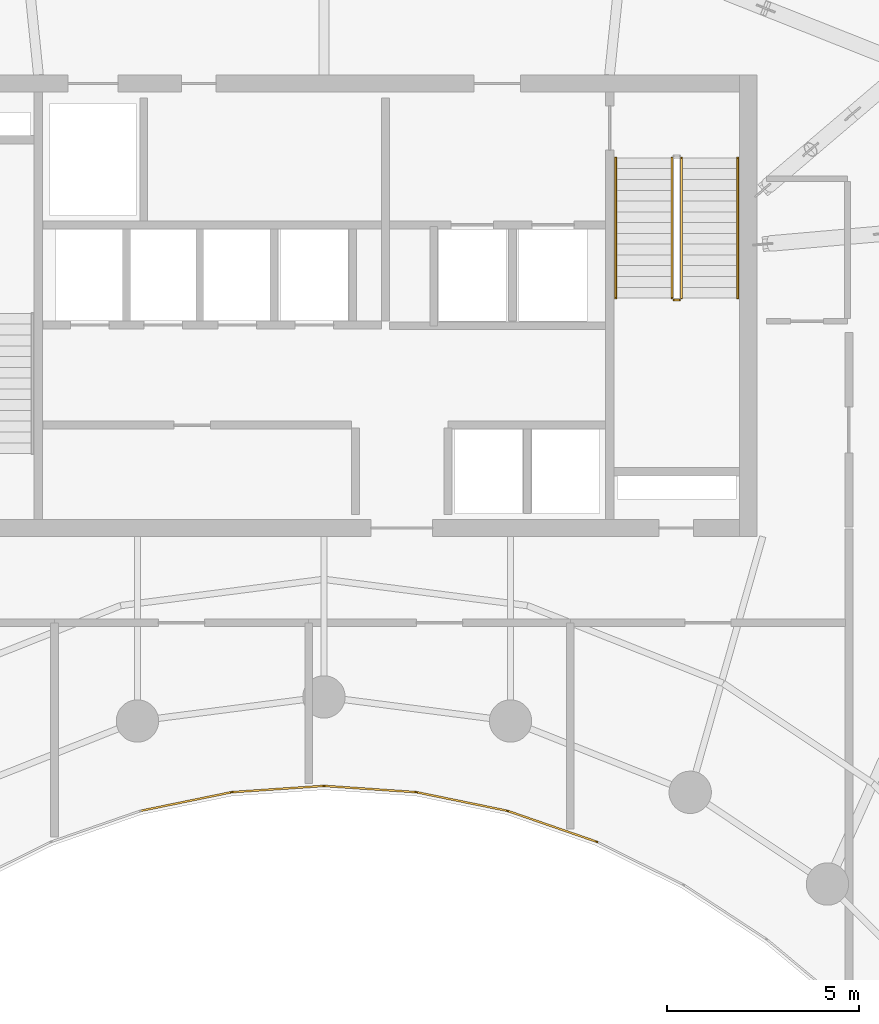
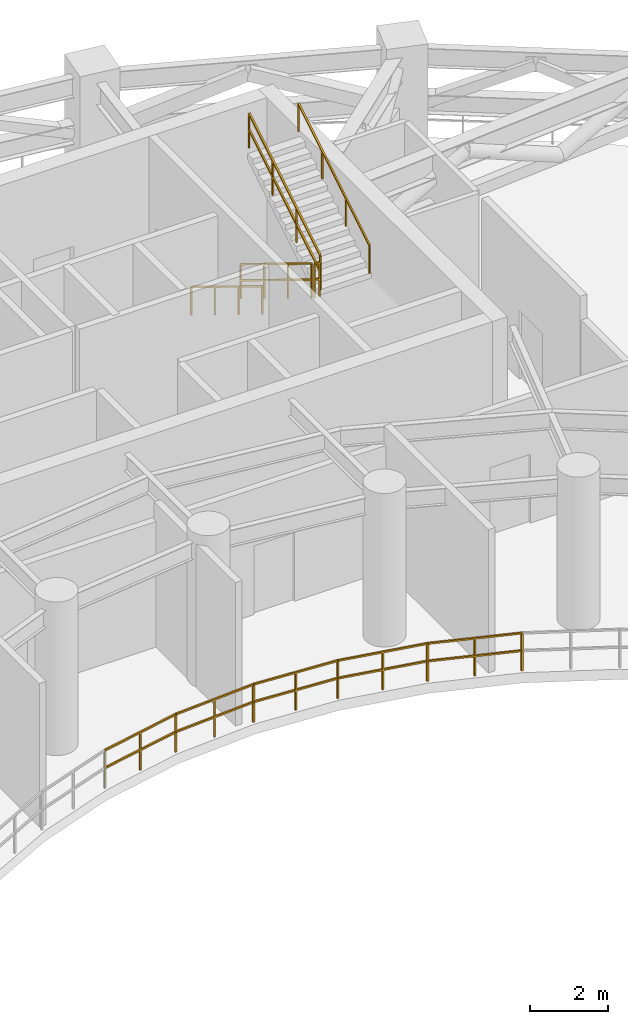
# One storey, part 20 of 24: 15 railings.
"""IFC4 building model written with IfcOpenShell, lengths in metres."""

from ifc_helpers import new_model, si_unit, direction, frame, origin, origin_2d, place, context, subcontext, project, spatial, rectangle, extrude, material, type_object, element, save


model = new_model("IFC4")

# Units and contexts
model_context = context("Model", 3, precision=1e-05, world=origin(), true_north=direction((0.0, 1.0)))
body_context = subcontext(model_context, "Body", "Model", "MODEL_VIEW")
ifc_project = project(units=[si_unit("LENGTHUNIT", "METRE"), si_unit("AREAUNIT", "SQUARE_METRE"), si_unit("VOLUMEUNIT", "CUBIC_METRE"), si_unit("PLANEANGLEUNIT", "RADIAN"), si_unit("MASSUNIT", "GRAM", prefix="KILO")], contexts=[model_context])

# Site, building, storey
site_placement = place(None, origin())
site = spatial("IfcSite", under=ifc_project, at=site_placement, CompositionType="ELEMENT")
building_placement = place(site_placement, origin())
building = spatial("IfcBuilding", under=site, at=building_placement, Name="Breltana Convention Tower", CompositionType="ELEMENT")
storey_placement = place(building_placement, frame((0.0, 0.0, 189.60009765625)))
storey = spatial("IfcBuildingStorey", under=building, at=storey_placement, Name="L46", CompositionType="ELEMENT", Elevation=189.60009765625)

# Railings
ifc_material_1 = material(Name="Steel S275 Painted", Category="steel")
railing_type_1 = type_object("IfcRailingType", Name="RL-STAIR-GUARD-1100", PredefinedType="GUARDRAIL", material=ifc_material_1)
railing_1_placement = place(storey_placement, frame((57.0400390625, 70.0400390625, 0.17138671875)))
element("IfcRailing", 1, at=railing_1_placement, inside=storey, type_object=railing_type_1, Name="L46 ST-2 stair guard 1", PredefinedType="GUARDRAIL", context=body_context, shape_type="SweptSolid", body=[
    extrude(rectangle(XDim=0.048095703125, YDim=0.048095703125, at=origin_2d()), frame((0.0, 0.0, 1.076171875), z_axis=(0.0, -0.852865859571, 0.52213008492), x_axis=(1.0, 0.0, 0.0)), (0.0, 0.0, 1.0), 4.26806640625),
    extrude(rectangle(XDim=0.048095703125, YDim=0.048095703125, at=origin_2d()), frame((0.0, 0.0, 0.572021484375), z_axis=(0.0, -0.852865859571, 0.52213008492), x_axis=(1.0, 0.0, 0.0)), (0.0, 0.0, 1.0), 4.26806640625),
    extrude(rectangle(XDim=0.0419921875, YDim=0.0419921875, at=origin_2d()), origin(), (0.0, 0.0, 1.0), 1.052001953125),
    extrude(rectangle(XDim=0.0419921875, YDim=0.0419921875, at=origin_2d()), frame((0.0, -1.21337890625, 0.742919921875)), (0.0, 0.0, 1.0), 1.052001953125),
    extrude(rectangle(XDim=0.0419921875, YDim=0.0419921875, at=origin_2d()), frame((0.0, -2.4267578125, 1.485595703125)), (0.0, 0.0, 1.0), 1.052001953125),
    extrude(rectangle(XDim=0.0419921875, YDim=0.0419921875, at=origin_2d()), frame((0.0, -3.64013671875, 2.228515625)), (0.0, 0.0, 1.0), 1.052001953125),
])
railing_2_placement = place(storey_placement, frame((57.090087890625, 66.35009765625, 2.39990234375)))
element("IfcRailing", 2, at=railing_2_placement, inside=storey, type_object=railing_type_1, Name="L46 ST-2 stair guard 2", PredefinedType="GUARDRAIL", context=body_context, shape_type="SweptSolid", body=[
    extrude(rectangle(XDim=0.048095703125, YDim=0.048095703125, at=origin_2d()), frame((0.0, 0.0, 1.076171875), z_axis=(1.0, 0.0, 0.0), x_axis=(0.0, 1.0, 0.0)), (0.0, 0.0, 1.0), 0.14990234375),
    extrude(rectangle(XDim=0.048095703125, YDim=0.048095703125, at=origin_2d()), frame((0.0, 0.0, 0.572021484375), z_axis=(1.0, 0.0, 0.0), x_axis=(0.0, 1.0, 0.0)), (0.0, 0.0, 1.0), 0.14990234375),
    extrude(rectangle(XDim=0.0419921875, YDim=0.0419921875, at=origin_2d()), origin(), (0.0, 0.0, 1.0), 1.052001953125),
    extrude(rectangle(XDim=0.0419921875, YDim=0.0419921875, at=origin_2d()), frame((0.14990234375, 0.0, 0.0)), (0.0, 0.0, 1.0), 1.052001953125),
])
railing_3_placement = place(storey_placement, frame((57.2900390625, 66.39990234375, 2.5712890625)))
element("IfcRailing", 3, at=railing_3_placement, inside=storey, type_object=railing_type_1, Name="L46 ST-2 stair guard 3", PredefinedType="GUARDRAIL", context=body_context, shape_type="SweptSolid", body=[
    extrude(rectangle(XDim=0.048095703125, YDim=0.048095703125, at=origin_2d()), frame((0.0, 0.0, 1.076171875), z_axis=(0.0, 0.852865859571, 0.52213008492), x_axis=(-1.0, 0.0, 0.0)), (0.0, 0.0, 1.0), 4.26806640625),
    extrude(rectangle(XDim=0.048095703125, YDim=0.048095703125, at=origin_2d()), frame((0.0, 0.0, 0.572021484375), z_axis=(0.0, 0.852865859571, 0.52213008492), x_axis=(-1.0, 0.0, 0.0)), (0.0, 0.0, 1.0), 4.26806640625),
    extrude(rectangle(XDim=0.0419921875, YDim=0.0419921875, at=origin_2d()), origin(), (0.0, 0.0, 1.0), 1.052001953125),
    extrude(rectangle(XDim=0.0419921875, YDim=0.0419921875, at=origin_2d()), frame((0.0, 1.21337890625, 0.742919921875)), (0.0, 0.0, 1.0), 1.052001953125),
    extrude(rectangle(XDim=0.0419921875, YDim=0.0419921875, at=origin_2d()), frame((0.0, 2.4267578125, 1.485595703125)), (0.0, 0.0, 1.0), 1.052001953125),
    extrude(rectangle(XDim=0.0419921875, YDim=0.0419921875, at=origin_2d()), frame((0.0, 3.64013671875, 2.228515625)), (0.0, 0.0, 1.0), 1.052001953125),
])
ifc_material_2 = material(Name="Stainless Steel 316L", Category="steel")
railing_type_2 = type_object("IfcRailingType", Name="RL-STAIR-HANDRAIL-900", PredefinedType="HANDRAIL", material=ifc_material_2)
railing_4_placement = place(storey_placement, frame((55.580078125, 70.0400390625, 0.17138671875)))
element("IfcRailing", 4, at=railing_4_placement, inside=storey, type_object=railing_type_2, Name="L46 ST-2 stair handrail 1", PredefinedType="HANDRAIL", context=body_context, shape_type="SweptSolid", body=[
    extrude(rectangle(XDim=0.048095703125, YDim=0.048095703125, at=origin_2d()), frame((0.0, 0.0, 0.8759765625), z_axis=(0.0, -0.852865859571, 0.52213008492), x_axis=(1.0, 0.0, 0.0)), (0.0, 0.0, 1.0), 4.26806640625),
    extrude(rectangle(XDim=0.0419921875, YDim=0.0419921875, at=origin_2d()), origin(), (0.0, 0.0, 1.0), 0.851806640625),
    extrude(rectangle(XDim=0.0419921875, YDim=0.0419921875, at=origin_2d()), frame((0.0, -1.21337890625, 0.742919921875)), (0.0, 0.0, 1.0), 0.851806640625),
    extrude(rectangle(XDim=0.0419921875, YDim=0.0419921875, at=origin_2d()), frame((0.0, -2.4267578125, 1.485595703125)), (0.0, 0.0, 1.0), 0.851806640625),
    extrude(rectangle(XDim=0.0419921875, YDim=0.0419921875, at=origin_2d()), frame((0.0, -3.64013671875, 2.228515625)), (0.0, 0.0, 1.0), 0.851806640625),
])
railing_5_placement = place(storey_placement, frame((58.75, 66.39990234375, 2.5712890625)))
element("IfcRailing", 5, at=railing_5_placement, inside=storey, type_object=railing_type_2, Name="L46 ST-2 stair handrail 2", PredefinedType="HANDRAIL", context=body_context, shape_type="SweptSolid", body=[
    extrude(rectangle(XDim=0.048095703125, YDim=0.048095703125, at=origin_2d()), frame((0.0, 0.0, 0.8759765625), z_axis=(0.0, 0.852865859571, 0.52213008492), x_axis=(-1.0, 0.0, 0.0)), (0.0, 0.0, 1.0), 4.26806640625),
    extrude(rectangle(XDim=0.0419921875, YDim=0.0419921875, at=origin_2d()), origin(), (0.0, 0.0, 1.0), 0.851806640625),
    extrude(rectangle(XDim=0.0419921875, YDim=0.0419921875, at=origin_2d()), frame((0.0, 1.21337890625, 0.742919921875)), (0.0, 0.0, 1.0), 0.851806640625),
    extrude(rectangle(XDim=0.0419921875, YDim=0.0419921875, at=origin_2d()), frame((0.0, 2.4267578125, 1.485595703125)), (0.0, 0.0, 1.0), 0.851806640625),
    extrude(rectangle(XDim=0.0419921875, YDim=0.0419921875, at=origin_2d()), frame((0.0, 3.64013671875, 2.228515625)), (0.0, 0.0, 1.0), 0.851806640625),
])
railing_type_3 = type_object("IfcRailingType", Name="RL-WIND-GUARD-1200", PredefinedType="BALUSTRADE", material=ifc_material_2)
railing_6_placement = place(storey_placement, frame((55.101806640625, 52.2666015625, 0.0)))
element("IfcRailing", 6, at=railing_6_placement, inside=storey, type_object=railing_type_3, Name="L46 perimeter balustrade 19", PredefinedType="BALUSTRADE", context=body_context, shape_type="SweptSolid", body=[
    extrude(rectangle(XDim=0.048095703125, YDim=0.048095703125, at=origin_2d()), frame((0.0, 0.0, 1.17578125), z_axis=(-0.923076923077, 0.384615384615, 0.0), x_axis=(-0.384615384615, -0.923076923077, 0.0)), (0.0, 0.0, 1.0), 0.0126953125),
    extrude(rectangle(XDim=0.048095703125, YDim=0.048095703125, at=origin_2d()), frame((0.0, 0.0, 0.6240234375), z_axis=(-0.923076923077, 0.384615384615, 0.0), x_axis=(-0.384615384615, -0.923076923077, 0.0)), (0.0, 0.0, 1.0), 0.0126953125),
    extrude(rectangle(XDim=0.0419921875, YDim=0.0419921875, at=origin_2d()), origin(), (0.0, 0.0, 1.0), 1.15185546875),
    extrude(rectangle(XDim=0.0419921875, YDim=0.0419921875, at=origin_2d()), frame((-0.01171875, 0.0048828125, 0.0)), (0.0, 0.0, 1.0), 1.15185546875),
])
railing_7_placement = place(storey_placement, frame((55.090087890625, 52.271484375, 0.0)))
element("IfcRailing", 7, at=railing_7_placement, inside=storey, type_object=railing_type_3, Name="L46 perimeter balustrade 20", PredefinedType="BALUSTRADE", context=body_context, shape_type="SweptSolid", body=[
    extrude(rectangle(XDim=0.048095703125, YDim=0.048095703125, at=origin_2d()), frame((0.0, 0.0, 1.17578125), z_axis=(-0.944895881639, 0.327371001865, 0.0), x_axis=(-0.327371001865, -0.944895881639, 0.0)), (0.0, 0.0, 1.0), 2.44677734375),
    extrude(rectangle(XDim=0.048095703125, YDim=0.048095703125, at=origin_2d()), frame((0.0, 0.0, 0.6240234375), z_axis=(-0.944895881639, 0.327371001865, 0.0), x_axis=(-0.327371001865, -0.944895881639, 0.0)), (0.0, 0.0, 1.0), 2.44677734375),
    extrude(rectangle(XDim=0.0419921875, YDim=0.0419921875, at=origin_2d()), origin(), (0.0, 0.0, 1.0), 1.15185546875),
    extrude(rectangle(XDim=0.0419921875, YDim=0.0419921875, at=origin_2d()), frame((-1.156005859375, 0.400390625, 0.0)), (0.0, 0.0, 1.0), 1.15185546875),
    extrude(rectangle(XDim=0.0419921875, YDim=0.0419921875, at=origin_2d()), frame((-2.31201171875, 0.801025390625, 0.0)), (0.0, 0.0, 1.0), 1.15185546875),
])
railing_8_placement = place(storey_placement, frame((52.778076171875, 53.072509765625, 0.0)))
element("IfcRailing", 8, at=railing_8_placement, inside=storey, type_object=railing_type_3, Name="L46 perimeter balustrade 21", PredefinedType="BALUSTRADE", context=body_context, shape_type="SweptSolid", body=[
    extrude(rectangle(XDim=0.048095703125, YDim=0.048095703125, at=origin_2d()), frame((0.0, 0.0, 1.17578125), z_axis=(-0.960823591181, 0.277160651302, 0.0), x_axis=(-0.277160651302, -0.960823591181, 0.0)), (0.0, 0.0, 1.0), 0.01318359375),
    extrude(rectangle(XDim=0.048095703125, YDim=0.048095703125, at=origin_2d()), frame((0.0, 0.0, 0.6240234375), z_axis=(-0.960823591181, 0.277160651302, 0.0), x_axis=(-0.277160651302, -0.960823591181, 0.0)), (0.0, 0.0, 1.0), 0.01318359375),
    extrude(rectangle(XDim=0.0419921875, YDim=0.0419921875, at=origin_2d()), origin(), (0.0, 0.0, 1.0), 1.15185546875),
    extrude(rectangle(XDim=0.0419921875, YDim=0.0419921875, at=origin_2d()), frame((-0.0126953125, 0.003662109375, 0.0)), (0.0, 0.0, 1.0), 1.15185546875),
])
railing_9_placement = place(storey_placement, frame((52.765380859375, 53.076171875, 0.0)))
element("IfcRailing", 9, at=railing_9_placement, inside=storey, type_object=railing_type_3, Name="L46 perimeter balustrade 22", PredefinedType="BALUSTRADE", context=body_context, shape_type="SweptSolid", body=[
    extrude(rectangle(XDim=0.048095703125, YDim=0.048095703125, at=origin_2d()), frame((0.0, 0.0, 1.17578125), z_axis=(-0.979626219615, 0.200829454621, 0.0), x_axis=(-0.200829454621, -0.979626219615, 0.0)), (0.0, 0.0, 1.0), 2.409423828125),
    extrude(rectangle(XDim=0.048095703125, YDim=0.048095703125, at=origin_2d()), frame((0.0, 0.0, 0.6240234375), z_axis=(-0.979626219615, 0.200829454621, 0.0), x_axis=(-0.200829454621, -0.979626219615, 0.0)), (0.0, 0.0, 1.0), 2.409423828125),
    extrude(rectangle(XDim=0.0419921875, YDim=0.0419921875, at=origin_2d()), origin(), (0.0, 0.0, 1.0), 1.15185546875),
    extrude(rectangle(XDim=0.0419921875, YDim=0.0419921875, at=origin_2d()), frame((-1.18017578125, 0.241943359375, 0.0)), (0.0, 0.0, 1.0), 1.15185546875),
    extrude(rectangle(XDim=0.0419921875, YDim=0.0419921875, at=origin_2d()), frame((-2.3603515625, 0.48388671875, 0.0)), (0.0, 0.0, 1.0), 1.15185546875),
])
railing_10_placement = place(storey_placement, frame((50.405029296875, 53.56005859375, 0.0)))
element("IfcRailing", 10, at=railing_10_placement, inside=storey, type_object=railing_type_3, Name="L46 perimeter balustrade 23", PredefinedType="BALUSTRADE", context=body_context, shape_type="SweptSolid", body=[
    extrude(rectangle(XDim=0.048095703125, YDim=0.048095703125, at=origin_2d()), frame((0.0, 0.0, 1.17578125), z_axis=(-0.989586439285, 0.143939845714, 0.0), x_axis=(-0.143939845714, -0.989586439285, 0.0)), (0.0, 0.0, 1.0), 0.013671875),
    extrude(rectangle(XDim=0.048095703125, YDim=0.048095703125, at=origin_2d()), frame((0.0, 0.0, 0.6240234375), z_axis=(-0.989586439285, 0.143939845714, 0.0), x_axis=(-0.143939845714, -0.989586439285, 0.0)), (0.0, 0.0, 1.0), 0.013671875),
    extrude(rectangle(XDim=0.0419921875, YDim=0.0419921875, at=origin_2d()), origin(), (0.0, 0.0, 1.0), 1.15185546875),
    extrude(rectangle(XDim=0.0419921875, YDim=0.0419921875, at=origin_2d()), frame((-0.013427734375, 0.001953125, 0.0)), (0.0, 0.0, 1.0), 1.15185546875),
])
railing_11_placement = place(storey_placement, frame((50.3916015625, 53.56201171875, 0.0)))
element("IfcRailing", 11, at=railing_11_placement, inside=storey, type_object=railing_type_3, Name="L46 perimeter balustrade 24", PredefinedType="BALUSTRADE", context=body_context, shape_type="SweptSolid", body=[
    extrude(rectangle(XDim=0.048095703125, YDim=0.048095703125, at=origin_2d()), frame((0.0, 0.0, 1.17578125), z_axis=(-0.997704441679, 0.067718882559, 0.0), x_axis=(-0.067718882559, -0.997704441679, 0.0)), (0.0, 0.0, 1.0), 2.39013671875),
    extrude(rectangle(XDim=0.048095703125, YDim=0.048095703125, at=origin_2d()), frame((0.0, 0.0, 0.6240234375), z_axis=(-0.997704441679, 0.067718882559, 0.0), x_axis=(-0.067718882559, -0.997704441679, 0.0)), (0.0, 0.0, 1.0), 2.39013671875),
    extrude(rectangle(XDim=0.0419921875, YDim=0.0419921875, at=origin_2d()), origin(), (0.0, 0.0, 1.0), 1.15185546875),
    extrude(rectangle(XDim=0.0419921875, YDim=0.0419921875, at=origin_2d()), frame((-1.1923828125, 0.0810546875, 0.0)), (0.0, 0.0, 1.0), 1.15185546875),
    extrude(rectangle(XDim=0.0419921875, YDim=0.0419921875, at=origin_2d()), frame((-2.384765625, 0.161865234375, 0.0)), (0.0, 0.0, 1.0), 1.15185546875),
])
railing_12_placement = place(storey_placement, frame((48.0068359375, 53.723876953125, 0.0)))
element("IfcRailing", 12, at=railing_12_placement, inside=storey, type_object=railing_type_3, Name="L46 perimeter balustrade 25", PredefinedType="BALUSTRADE", context=body_context, shape_type="SweptSolid", body=[
    extrude(rectangle(XDim=0.048095703125, YDim=0.048095703125, at=origin_2d()), frame((0.0, 0.0, 1.17578125), z_axis=(-1.0, 0.0, 0.0), x_axis=(0.0, -1.0, 0.0)), (0.0, 0.0, 1.0), 0.013671875),
    extrude(rectangle(XDim=0.048095703125, YDim=0.048095703125, at=origin_2d()), frame((0.0, 0.0, 0.6240234375), z_axis=(-1.0, 0.0, 0.0), x_axis=(0.0, -1.0, 0.0)), (0.0, 0.0, 1.0), 0.013671875),
    extrude(rectangle(XDim=0.0419921875, YDim=0.0419921875, at=origin_2d()), origin(), (0.0, 0.0, 1.0), 1.15185546875),
    extrude(rectangle(XDim=0.0419921875, YDim=0.0419921875, at=origin_2d()), frame((-0.013671875, 0.0, 0.0)), (0.0, 0.0, 1.0), 1.15185546875),
])
railing_13_placement = place(storey_placement, frame((47.9931640625, 53.723876953125, 0.0)))
element("IfcRailing", 13, at=railing_13_placement, inside=storey, type_object=railing_type_3, Name="L46 perimeter balustrade 26", PredefinedType="BALUSTRADE", context=body_context, shape_type="SweptSolid", body=[
    extrude(rectangle(XDim=0.048095703125, YDim=0.048095703125, at=origin_2d()), frame((0.0, 0.0, 1.17578125), z_axis=(-0.997704441679, -0.067718882559, 0.0), x_axis=(0.067718882559, -0.997704441679, 0.0)), (0.0, 0.0, 1.0), 2.39013671875),
    extrude(rectangle(XDim=0.048095703125, YDim=0.048095703125, at=origin_2d()), frame((0.0, 0.0, 0.6240234375), z_axis=(-0.997704441679, -0.067718882559, 0.0), x_axis=(0.067718882559, -0.997704441679, 0.0)), (0.0, 0.0, 1.0), 2.39013671875),
    extrude(rectangle(XDim=0.0419921875, YDim=0.0419921875, at=origin_2d()), origin(), (0.0, 0.0, 1.0), 1.15185546875),
    extrude(rectangle(XDim=0.0419921875, YDim=0.0419921875, at=origin_2d()), frame((-1.1923828125, -0.0810546875, 0.0)), (0.0, 0.0, 1.0), 1.15185546875),
    extrude(rectangle(XDim=0.0419921875, YDim=0.0419921875, at=origin_2d()), frame((-2.384765625, -0.161865234375, 0.0)), (0.0, 0.0, 1.0), 1.15185546875),
])
railing_14_placement = place(storey_placement, frame((45.6083984375, 53.56201171875, 0.0)))
element("IfcRailing", 14, at=railing_14_placement, inside=storey, type_object=railing_type_3, Name="L46 perimeter balustrade 27", PredefinedType="BALUSTRADE", context=body_context, shape_type="SweptSolid", body=[
    extrude(rectangle(XDim=0.048095703125, YDim=0.048095703125, at=origin_2d()), frame((0.0, 0.0, 1.17578125), z_axis=(-0.989586439285, -0.143939845714, 0.0), x_axis=(0.143939845714, -0.989586439285, 0.0)), (0.0, 0.0, 1.0), 0.013671875),
    extrude(rectangle(XDim=0.048095703125, YDim=0.048095703125, at=origin_2d()), frame((0.0, 0.0, 0.6240234375), z_axis=(-0.989586439285, -0.143939845714, 0.0), x_axis=(0.143939845714, -0.989586439285, 0.0)), (0.0, 0.0, 1.0), 0.013671875),
    extrude(rectangle(XDim=0.0419921875, YDim=0.0419921875, at=origin_2d()), origin(), (0.0, 0.0, 1.0), 1.15185546875),
    extrude(rectangle(XDim=0.0419921875, YDim=0.0419921875, at=origin_2d()), frame((-0.013427734375, -0.001953125, 0.0)), (0.0, 0.0, 1.0), 1.15185546875),
])
railing_15_placement = place(storey_placement, frame((45.594970703125, 53.56005859375, 0.0)))
element("IfcRailing", 15, at=railing_15_placement, inside=storey, type_object=railing_type_3, Name="L46 perimeter balustrade 28", PredefinedType="BALUSTRADE", context=body_context, shape_type="SweptSolid", body=[
    extrude(rectangle(XDim=0.048095703125, YDim=0.048095703125, at=origin_2d()), frame((0.0, 0.0, 1.17578125), z_axis=(-0.979626219615, -0.200829454621, 0.0), x_axis=(0.200829454621, -0.979626219615, 0.0)), (0.0, 0.0, 1.0), 2.409423828125),
    extrude(rectangle(XDim=0.048095703125, YDim=0.048095703125, at=origin_2d()), frame((0.0, 0.0, 0.6240234375), z_axis=(-0.979626219615, -0.200829454621, 0.0), x_axis=(0.200829454621, -0.979626219615, 0.0)), (0.0, 0.0, 1.0), 2.409423828125),
    extrude(rectangle(XDim=0.0419921875, YDim=0.0419921875, at=origin_2d()), origin(), (0.0, 0.0, 1.0), 1.15185546875),
    extrude(rectangle(XDim=0.0419921875, YDim=0.0419921875, at=origin_2d()), frame((-1.18017578125, -0.241943359375, 0.0)), (0.0, 0.0, 1.0), 1.15185546875),
    extrude(rectangle(XDim=0.0419921875, YDim=0.0419921875, at=origin_2d()), frame((-2.3603515625, -0.48388671875, 0.0)), (0.0, 0.0, 1.0), 1.15185546875),
])

save(model, "model.ifc")
